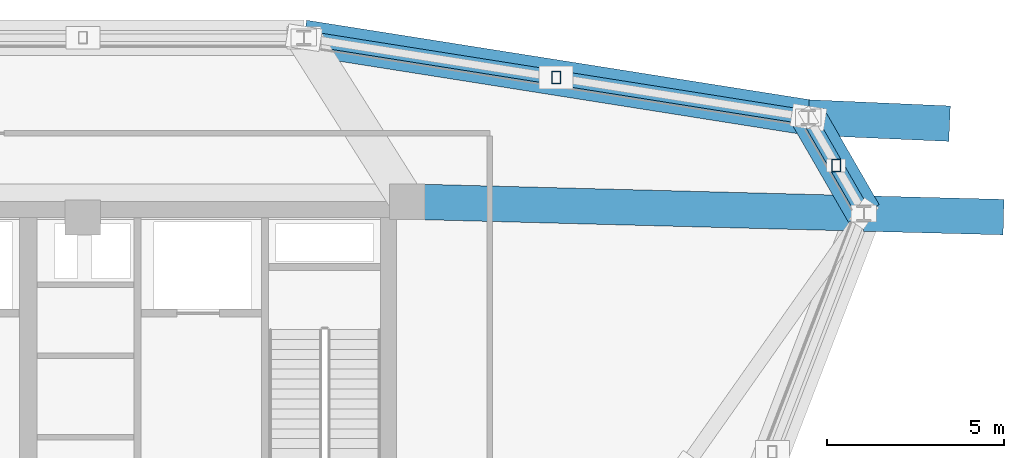
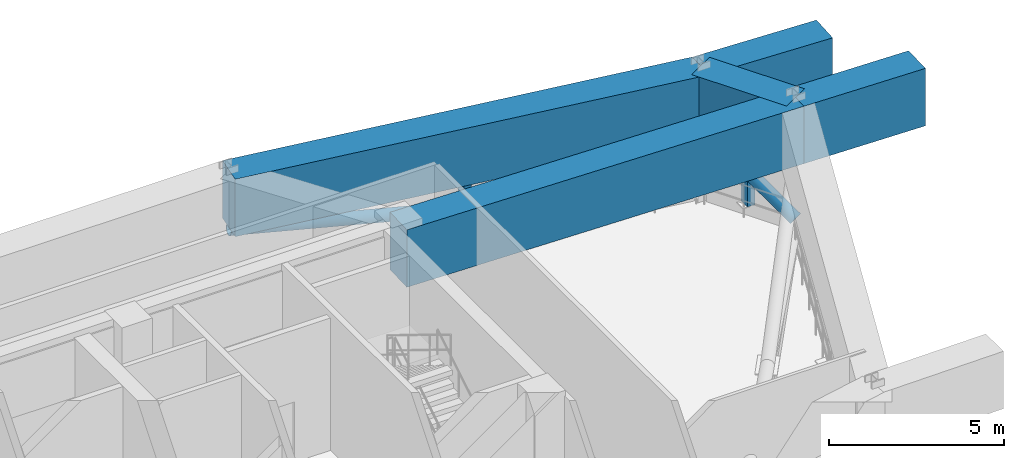
# One storey, part 6 of 12: 5 beams, 4 members.
"""IFC4 building model written with IfcOpenShell, lengths in metres."""

from ifc_helpers import new_model, si_unit, derived_unit, direction, frame, origin, origin_2d, place, context, subcontext, project, spatial, rectangle, hollow_rectangle, hollow_circle, extrude, source, transform, mapped, material, material_profile, profile_set, type_object, element, save


model = new_model("IFC4")

# Units and contexts
model_context = context("Model", 3, precision=1e-05, world=origin(), true_north=direction((0.0, 1.0)))
body_context = subcontext(model_context, "Body", "Model", "MODEL_VIEW")
ifc_project = project(units=[si_unit("LENGTHUNIT", "METRE"), si_unit("AREAUNIT", "SQUARE_METRE"), si_unit("VOLUMEUNIT", "CUBIC_METRE"), si_unit("PLANEANGLEUNIT", "RADIAN"), si_unit("MASSUNIT", "GRAM", prefix="KILO"), derived_unit("THERMALTRANSMITTANCEUNIT", [(si_unit("POWERUNIT", "WATT"), 1), (si_unit("LENGTHUNIT", "METRE"), -2), (si_unit("THERMODYNAMICTEMPERATUREUNIT", "KELVIN"), -1)])], contexts=[model_context])

# Site, building, storey
site_placement = place(None, origin())
site = spatial("IfcSite", under=ifc_project, at=site_placement, CompositionType="ELEMENT")
building_placement = place(site_placement, origin())
building = spatial("IfcBuilding", under=site, at=building_placement, Name="Korsvarv Bourse and Concert Hall", CompositionType="ELEMENT")
storey_placement = place(building_placement, frame((0.0, 0.0, 201.0)))
storey = spatial("IfcBuildingStorey", under=building, at=storey_placement, Name="L52", CompositionType="ELEMENT", Elevation=201.0)

# Members
ifc_material_1 = material(Name="Steel S355", Category="steel")
ifc_material_profile_1 = material_profile(ifc_material_1, hollow_rectangle(XDim=0.25, YDim=0.35009765625, WallThickness=0.012451171875, at=origin_2d()), Name="RHS 350x250x12.5")
ifc_profile_set_1 = profile_set([ifc_material_profile_1], Name="Steel S355")
member_type_1 = type_object("IfcMemberType", Name="MEM-RHS350", PredefinedType="STRUT", material=ifc_profile_set_1)
shared_shape_1 = source(origin(), body_context, "Body", "SweptSolid", [
    extrude(hollow_rectangle(XDim=0.25, YDim=0.35009765625, WallThickness=0.012451171875, at=origin_2d()), origin(), (0.0, 0.0, 1.0), 2.169921875),
])
for number, where, z_axis, x_axis, name in (
    (1, (57.247802734375, 48.267333984375, 0.35009765625), (0.0, 0.0, 1.0), (1.0, 0.0, 0.0), "L52 Perimeter Belt Truss Strut 1"),
    (2, (49.349365234375, 50.747314453125, 0.35009765625), (0.0, 0.0, 1.0), (1.0, 0.0, 0.0), "L52 Perimeter Belt Truss Strut 2"),
):
    element("IfcMember", number, at=place(storey_placement, frame(where, z_axis=z_axis, x_axis=x_axis)), inside=storey, type_object=member_type_1, Name=name, PredefinedType="STRUT", context=body_context, shape_type="MappedRepresentation", body=[
        mapped(shared_shape_1, transform((0.0, 0.0, 0.0), scale=1.0)),
    ])

# Beams
ifc_material_2 = material(Name="Concrete C60/75", Category="concrete")
ifc_material_profile_2 = material_profile(ifc_material_2, rectangle(XDim=1.0, YDim=2.0, at=origin_2d()), Name="RC-BM 1000x2000")
ifc_profile_set_2 = profile_set([ifc_material_profile_2], Name="Concrete C60/75")
beam_type = type_object("IfcBeamType", Name="BM-TR1", PredefinedType="BEAM", material=ifc_profile_set_2)
shared_shape_2 = source(origin(), body_context, "Body", "SweptSolid", [
    extrude(rectangle(XDim=1.0, YDim=2.0, at=origin_2d()), origin(), (0.0, 0.0, 1.0), 3.12939453125),
])
beam_1_placement = place(storey_placement, frame((58.0302734375, 46.912353515625, 3.570068359375), z_axis=(-0.499990325971, 0.866030989016, 0.0), x_axis=(-0.866030989016, -0.499990325971, 0.0)))
element("IfcBeam", 3, at=beam_1_placement, inside=storey, type_object=beam_type, Name="L52 beam B-TR1", PredefinedType="BEAM", context=body_context, shape_type="MappedRepresentation", body=[
    mapped(shared_shape_2, transform((0.0, 0.0, 0.0), scale=1.0)),
])
shared_shape_3 = source(origin(), body_context, "Body", "SweptSolid", [
    extrude(rectangle(XDim=1.0, YDim=2.0, at=origin_2d()), origin(), (0.0, 0.0, 1.0), 14.4091796875),
])
beam_2_placement = place(storey_placement, frame((56.465576171875, 49.62255859375, 3.570068359375), z_axis=(-0.987741112202, 0.156100913728, 0.0), x_axis=(-0.156100913728, -0.987741112202, 0.0)))
element("IfcBeam", 4, at=beam_2_placement, inside=storey, type_object=beam_type, Name="L52 beam B-TR1", PredefinedType="BEAM", context=body_context, shape_type="MappedRepresentation", body=[
    mapped(shared_shape_3, transform((0.0, 0.0, 0.0), scale=1.0)),
])
shared_shape_4 = source(origin(), body_context, "Body", "SweptSolid", [
    extrude(rectangle(XDim=1.0, YDim=2.0, at=origin_2d()), origin(), (0.0, 0.0, 1.0), 12.884765625),
])
beam_3_placement = place(storey_placement, frame((58.0302734375, 46.912353515625, 3.570068359375), z_axis=(-0.999656589191, 0.026205031708, 0.0), x_axis=(-0.026205031708, -0.999656589191, 0.0)))
element("IfcBeam", 5, at=beam_3_placement, inside=storey, type_object=beam_type, Name="L52 beam B-TR1", PredefinedType="BEAM", context=body_context, shape_type="MappedRepresentation", body=[
    mapped(shared_shape_4, transform((0.0, 0.0, 0.0), scale=1.0)),
])
shared_shape_5 = source(origin(), body_context, "Body", "SweptSolid", [
    extrude(rectangle(XDim=1.0, YDim=2.0, at=origin_2d()), origin(), (0.0, 0.0, 1.0), 3.941162109375),
])
beam_4_placement = place(storey_placement, frame((58.0302734375, 46.912353515625, 3.570068359375), z_axis=(0.99967110523, -0.025645299143, 0.0), x_axis=(0.025645299143, 0.99967110523, 0.0)))
element("IfcBeam", 6, at=beam_4_placement, inside=storey, type_object=beam_type, Name="L52 Block-Shift Transfer Girder 1", PredefinedType="BEAM", context=body_context, shape_type="MappedRepresentation", body=[
    mapped(shared_shape_5, transform((0.0, 0.0, 0.0), scale=1.0)),
])
shared_shape_6 = source(origin(), body_context, "Body", "SweptSolid", [
    extrude(rectangle(XDim=1.0, YDim=2.0, at=origin_2d()), origin(), (0.0, 0.0, 1.0), 3.986328125),
])
beam_5_placement = place(storey_placement, frame((56.465576171875, 49.62255859375, 3.570068359375), z_axis=(0.999038045315, -0.043851841616, 0.0), x_axis=(0.043851841616, 0.999038045315, 0.0)))
element("IfcBeam", 7, at=beam_5_placement, inside=storey, type_object=beam_type, Name="L52 Block-Shift Transfer Girder 2", PredefinedType="BEAM", context=body_context, shape_type="MappedRepresentation", body=[
    mapped(shared_shape_6, transform((0.0, 0.0, 0.0), scale=1.0)),
])

# Members
ifc_material_profile_3 = material_profile(ifc_material_1, hollow_circle(Radius=0.203125, WallThickness=0.01611328125, at=origin_2d()), Name="CHS 406.4x16")
ifc_profile_set_3 = profile_set([ifc_material_profile_3], Name="Steel S355")
member_type_2 = type_object("IfcMemberType", Name="MEM-CHS406", PredefinedType="BRACE", material=ifc_profile_set_3)
shared_shape_7 = source(origin(), body_context, "Body", "SweptSolid", [
    extrude(hollow_circle(Radius=0.203125, WallThickness=0.01611328125, at=origin_2d()), origin(), (0.0, 0.0, 1.0), 3.80810546875),
])
member_1_placement = place(storey_placement, frame((58.0302734375, 46.912353515625, 0.35009765625), z_axis=(-0.410880588331, 0.711684414272, 0.569809122966), x_axis=(-0.866030989016, -0.499990325971, 0.0)))
element("IfcMember", 8, at=member_1_placement, inside=storey, type_object=member_type_2, Name="L52 Perimeter Belt Truss Diagonal 1", PredefinedType="BRACE", context=body_context, shape_type="MappedRepresentation", body=[
    mapped(shared_shape_7, transform((0.0, 0.0, 0.0), scale=1.0)),
])
shared_shape_8 = source(origin(), body_context, "Body", "SweptSolid", [
    extrude(hollow_circle(Radius=0.203125, WallThickness=0.01611328125, at=origin_2d()), origin(), (0.0, 0.0, 1.0), 14.571533203125),
])
member_2_placement = place(storey_placement, frame((56.465576171875, 49.62255859375, 0.35009765625), z_axis=(-0.976727779385, 0.154360385472, 0.148915131453), x_axis=(-0.156100913728, -0.987741112202, 0.0)))
element("IfcMember", 9, at=member_2_placement, inside=storey, type_object=member_type_2, Name="L52 Perimeter Belt Truss Diagonal 2", PredefinedType="BRACE", context=body_context, shape_type="MappedRepresentation", body=[
    mapped(shared_shape_8, transform((0.0, 0.0, 0.0), scale=1.0)),
])

save(model, "model.ifc")
